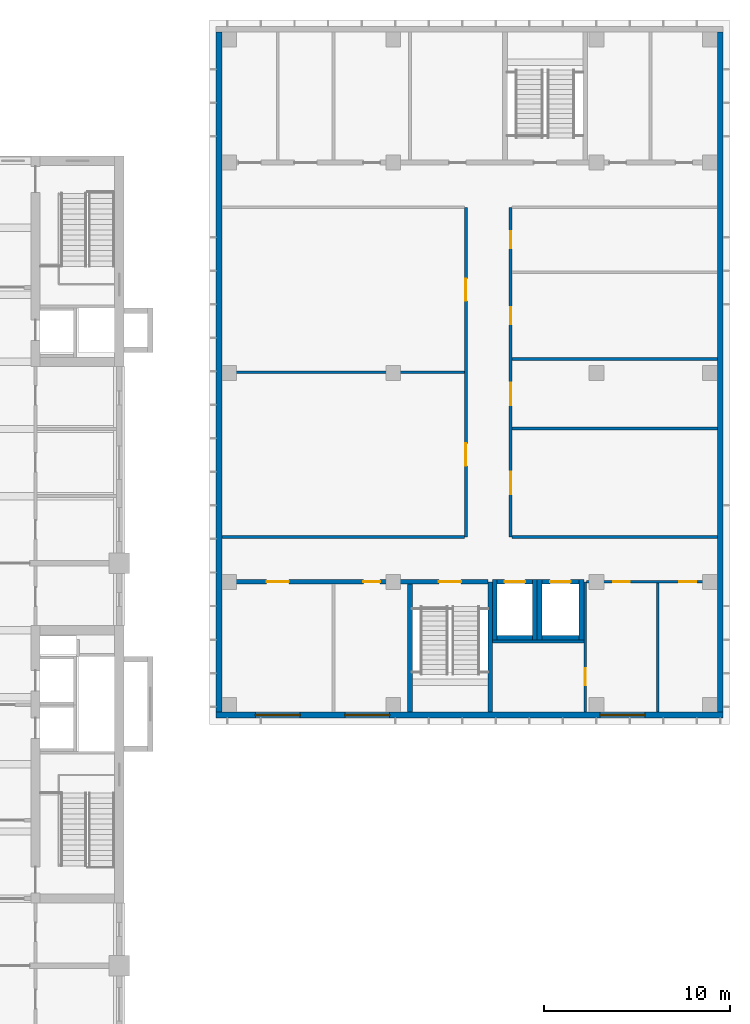
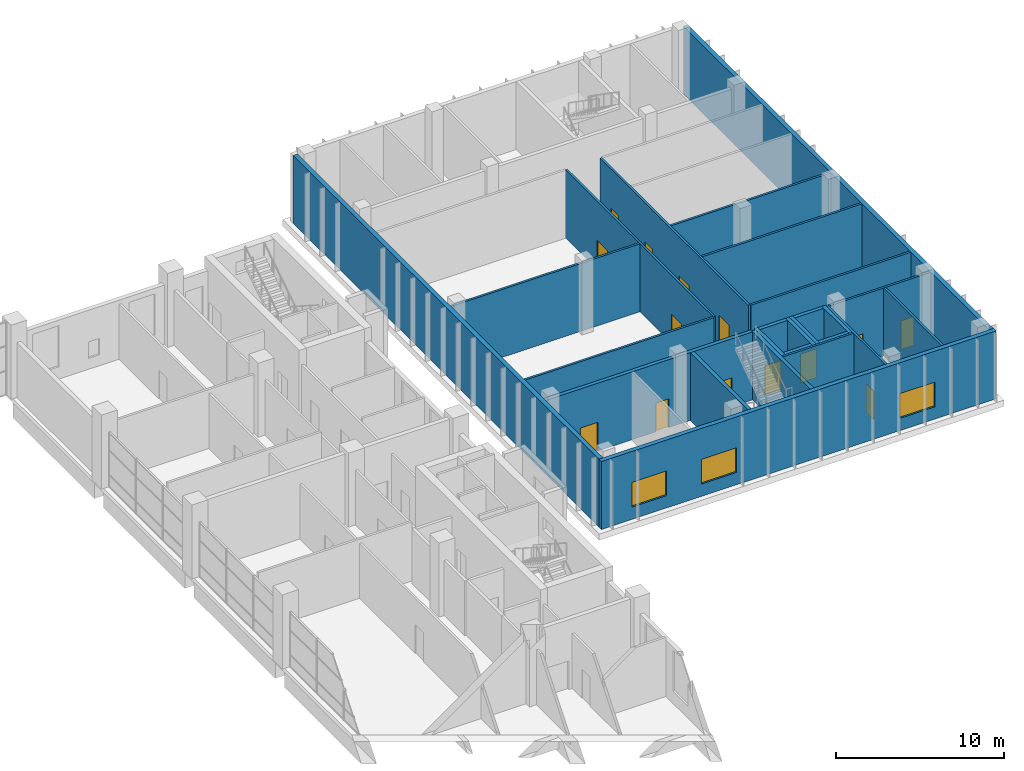
# One storey, part 24 of 33: 25 walls, 14 doors, 3 windows, 17 openings.
"""IFC4 building model written with IfcOpenShell, lengths in metres."""

from ifc_helpers import new_model, si_unit, direction, frame, frame_2d, origin, place, context, subcontext, project, spatial, rectangle, extrude, material, layer, layer_set, type_object, element, fill, save


model = new_model("IFC4")

# Units and contexts
model_context = context("Model", 3, precision=1e-05, world=origin(), true_north=direction((0.0, 1.0)))
body_context = subcontext(model_context, "Body", "Model", "MODEL_VIEW")
ifc_project = project(units=[si_unit("LENGTHUNIT", "METRE"), si_unit("AREAUNIT", "SQUARE_METRE"), si_unit("VOLUMEUNIT", "CUBIC_METRE"), si_unit("PLANEANGLEUNIT", "RADIAN"), si_unit("MASSUNIT", "GRAM", prefix="KILO")], contexts=[model_context])

# Site, building, storey
site_placement = place(None, origin())
site = spatial("IfcSite", under=ifc_project, at=site_placement, CompositionType="ELEMENT")
building_placement = place(site_placement, origin())
building = spatial("IfcBuilding", under=site, at=building_placement, Name="Basin Gate Institute", CompositionType="ELEMENT")
storey_placement = place(building_placement, frame((0.0, 0.0, 6.0)))
storey = spatial("IfcBuildingStorey", under=building, at=storey_placement, Name="L01", CompositionType="ELEMENT", Elevation=6.0)

# Wall, openings, doors
ifc_material_1 = material(Name="Concrete 40 MPa", Category="concrete")
ifc_layer_1 = layer(ifc_material_1, 0.25)
ifc_layer_set_1 = layer_set([ifc_layer_1], Name="Concrete 40 MPa")
wall_type_1 = type_object("IfcWallType", Name="Block enclosure wall W73 REI 120", PredefinedType="SOLIDWALL", material=ifc_layer_set_1)
wall_1_placement = place(storey_placement, frame((124.300048828125, 77.300048828125, 0.0), z_axis=(0.0, 0.0, 1.0), x_axis=(1.0, 0.0, 0.0)))
wall_1 = element("IfcWall", 1, at=wall_1_placement, inside=storey, type_object=wall_type_1, material=ifc_layer_set_1, Name="Stair and lift enclosure wall Cx7730-1 L01", PredefinedType="SOLIDWALL", context=body_context, shape_type="SweptSolid", body=[
    extrude(rectangle(XDim=14.27490234375, YDim=0.25, at=frame_2d((7.137451171875, 0.0))), origin(), (0.0, 0.0, 1.0), 4.949951171875),
])
opening_1_placement = place(wall_1_placement, frame((2.39990234375, 0.0, 0.0)))
opening_1 = element("IfcOpeningElement", 2, at=opening_1_placement, cuts=wall_1, Name="Opening D1019", PredefinedType="OPENING", context=body_context, shape_type="SweptSolid", body=[
    extrude(rectangle(XDim=1.199951171875, YDim=2.10009765625, at=frame_2d((0.60009765625, 1.050048828125))), frame((0.0, 0.135009765625, 0.0), z_axis=(0.0, -1.0, 0.0), x_axis=(1.0, 0.0, 0.0)), (0.0, 0.0, 1.0), 0.27001953125),
])
opening_2_placement = place(wall_1_placement, frame((7.60009765625, 0.0, 0.0)))
opening_2 = element("IfcOpeningElement", 3, at=opening_2_placement, cuts=wall_1, Name="Opening D1020", PredefinedType="OPENING", context=body_context, shape_type="SweptSolid", body=[
    extrude(rectangle(XDim=0.89990234375, YDim=2.10009765625, at=frame_2d((0.449951171875, 1.050048828125))), frame((0.0, 0.135009765625, 0.0), z_axis=(0.0, -1.0, 0.0), x_axis=(1.0, 0.0, 0.0)), (0.0, 0.0, 1.0), 0.27001953125),
])
opening_3_placement = place(wall_1_placement, frame((11.64990234375, 0.0, 0.0)))
opening_3 = element("IfcOpeningElement", 4, at=opening_3_placement, cuts=wall_1, Name="Opening D1036", PredefinedType="OPENING", context=body_context, shape_type="SweptSolid", body=[
    extrude(rectangle(XDim=1.199951171875, YDim=2.10009765625, at=frame_2d((0.60009765625, 1.050048828125))), frame((0.0, 0.135009765625, 0.0), z_axis=(0.0, -1.0, 0.0), x_axis=(1.0, 0.0, 0.0)), (0.0, 0.0, 1.0), 0.27001953125),
])
ifc_material_2 = material(Name="Timber door leaf in steel frame", Category="steel")
door_type_1 = type_object("IfcDoorType", Name="Block door 1200 single swing", OperationType="NOTDEFINED", PredefinedType="DOOR", material=ifc_material_2)
door_1_placement = place(opening_1_placement, frame((1.199951171875, 0.0, 0.0), z_axis=(0.0, 0.0, 1.0), x_axis=(-1.0, 0.0, 0.0)))
door_1 = element("IfcDoor", 5, at=door_1_placement, inside=storey, type_object=door_type_1, material=ifc_material_2, Name="Instrument Room door L01", OperationType="SINGLE_SWING_RIGHT", OverallHeight=2.10009765625, OverallWidth=1.199951171875, PredefinedType="DOOR", context=body_context, shape_type="SweptSolid", body=[
    extrude(rectangle(XDim=1.199951171875, YDim=2.10009765625, at=frame_2d((0.60009765625, 1.050048828125))), frame((0.0, 0.02490234375, 0.0), z_axis=(0.0, -1.0, 0.0), x_axis=(1.0, 0.0, 0.0)), (0.0, 0.0, 1.0), 0.050048828125),
])
fill(opening_1, door_1)
ifc_material_3 = material(Name="Timber door leaf in steel frame", Category="steel")
door_type_2 = type_object("IfcDoorType", Name="Block door 900 single swing", OperationType="NOTDEFINED", PredefinedType="DOOR", material=ifc_material_3)
door_2_placement = place(opening_2_placement, frame((0.89990234375, 0.0, 0.0), z_axis=(0.0, 0.0, 1.0), x_axis=(-1.0, 0.0, 0.0)))
door_2 = element("IfcDoor", 6, at=door_2_placement, inside=storey, type_object=door_type_2, material=ifc_material_3, Name="Write-up Office door L01", OperationType="SINGLE_SWING_LEFT", OverallHeight=2.10009765625, OverallWidth=0.89990234375, PredefinedType="DOOR", context=body_context, shape_type="SweptSolid", body=[
    extrude(rectangle(XDim=0.89990234375, YDim=2.10009765625, at=frame_2d((0.449951171875, 1.050048828125))), frame((0.0, 0.02490234375, 0.0), z_axis=(0.0, -1.0, 0.0), x_axis=(1.0, 0.0, 0.0)), (0.0, 0.0, 1.0), 0.050048828125),
])
fill(opening_2, door_2)
ifc_material_4 = material(Name="Steel fire door leaf", Category="steel")
door_type_3 = type_object("IfcDoorType", Name="FD60 door 1200 single swing", OperationType="NOTDEFINED", PredefinedType="DOOR", material=ifc_material_4)
door_3_placement = place(opening_3_placement, frame((1.199951171875, 0.0, 0.0), z_axis=(0.0, 0.0, 1.0), x_axis=(-1.0, 0.0, 0.0)))
door_3 = element("IfcDoor", 7, at=door_3_placement, inside=storey, type_object=door_type_3, material=ifc_material_4, Name="Stair door ST-C2 L01", OperationType="SINGLE_SWING_RIGHT", OverallHeight=2.10009765625, OverallWidth=1.199951171875, PredefinedType="DOOR", context=body_context, shape_type="SweptSolid", body=[
    extrude(rectangle(XDim=1.199951171875, YDim=2.10009765625, at=frame_2d((0.60009765625, 1.050048828125))), frame((0.0, 0.02490234375, 0.0), z_axis=(0.0, -1.0, 0.0), x_axis=(1.0, 0.0, 0.0)), (0.0, 0.0, 1.0), 0.050048828125),
])
fill(opening_3, door_3)

# Walls
wall_2_placement = place(storey_placement, frame((134.39990234375, 70.300048828125, 0.0), z_axis=(0.0, 0.0, 1.0), x_axis=(0.0, 1.0, 0.0)))
element("IfcWall", 8, at=wall_2_placement, inside=storey, type_object=wall_type_1, material=ifc_layer_set_1, Name="Stair and lift enclosure wall Cy13440-15 L01", PredefinedType="SOLIDWALL", context=body_context, shape_type="SweptSolid", body=[
    extrude(rectangle(XDim=6.875, YDim=0.25, at=frame_2d((3.4375, 0.0))), origin(), (0.0, 0.0, 1.0), 4.949951171875),
])
wall_3_placement = place(storey_placement, frame((138.699951171875, 70.300048828125, 0.0), z_axis=(0.0, 0.0, 1.0), x_axis=(0.0, 1.0, 0.0)))
element("IfcWall", 9, at=wall_3_placement, inside=storey, type_object=wall_type_1, material=ifc_layer_set_1, Name="Stair and lift enclosure wall Cy13870-18 L01", PredefinedType="SOLIDWALL", context=body_context, shape_type="SweptSolid", body=[
    extrude(rectangle(XDim=7.0, YDim=0.25, at=frame_2d((3.5, 0.0))), origin(), (0.0, 0.0, 1.0), 4.949951171875),
])

# Wall, openings, windows
ifc_material_5 = material(Name="Insulated sandwich panel, mineral wool core, galvanised sheet faces")
ifc_layer_2 = layer(ifc_material_5, 0.300048828125)
ifc_layer_set_2 = layer_set([ifc_layer_2], Name="Clean block insulated panel wall W80 EI 60")
wall_type_2 = type_object("IfcWallType", Name="Clean block insulated panel wall W80 EI 60", PredefinedType="SOLIDWALL", material=ifc_layer_set_2)
wall_4_placement = place(storey_placement, frame((124.0, 70.14990234375, 0.0), z_axis=(0.0, 0.0, 1.0), x_axis=(1.0, 0.0, 0.0)))
wall_4 = element("IfcWall", 10, at=wall_4_placement, inside=storey, type_object=wall_type_2, material=ifc_layer_set_2, Name="Clean block insulated panel wall south L01", PredefinedType="SOLIDWALL", context=body_context, shape_type="SweptSolid", body=[
    extrude(rectangle(XDim=27.199951171875, YDim=0.300048828125, at=frame_2d((13.60009765625, 0.0))), origin(), (0.0, 0.0, 1.0), 4.949951171875),
])
opening_4_placement = place(wall_4_placement, frame((2.10009765625, 0.0, 0.89990234375)))
opening_4 = element("IfcOpeningElement", 11, at=opening_4_placement, cuts=wall_4, Name="Opening WN1001", PredefinedType="OPENING", context=body_context, shape_type="SweptSolid", body=[
    extrude(rectangle(XDim=2.39990234375, YDim=1.800048828125, at=frame_2d((1.199951171875, 0.89990234375))), frame((0.0, 0.16015625, 0.0), z_axis=(0.0, -1.0, 0.0), x_axis=(1.0, 0.0, 0.0)), (0.0, 0.0, 1.0), 0.320068359375),
])
opening_5_placement = place(wall_4_placement, frame((6.89990234375, 0.0, 0.89990234375)))
opening_5 = element("IfcOpeningElement", 12, at=opening_5_placement, cuts=wall_4, Name="Opening WN1002", PredefinedType="OPENING", context=body_context, shape_type="SweptSolid", body=[
    extrude(rectangle(XDim=2.39990234375, YDim=1.800048828125, at=frame_2d((1.199951171875, 0.89990234375))), frame((0.0, 0.16015625, 0.0), z_axis=(0.0, -1.0, 0.0), x_axis=(1.0, 0.0, 0.0)), (0.0, 0.0, 1.0), 0.320068359375),
])
opening_6_placement = place(wall_4_placement, frame((20.60009765625, 0.0, 0.89990234375)))
opening_6 = element("IfcOpeningElement", 13, at=opening_6_placement, cuts=wall_4, Name="Opening WN1003", PredefinedType="OPENING", context=body_context, shape_type="SweptSolid", body=[
    extrude(rectangle(XDim=2.39990234375, YDim=1.800048828125, at=frame_2d((1.199951171875, 0.89990234375))), frame((0.0, 0.16015625, 0.0), z_axis=(0.0, -1.0, 0.0), x_axis=(1.0, 0.0, 0.0)), (0.0, 0.0, 1.0), 0.320068359375),
])
ifc_material_6 = material(Name="Aluminium frame with double glazing", Category="aluminium")
window_type = type_object("IfcWindowType", Name="Block window 2400x1800", PartitioningType="DOUBLE_PANEL_VERTICAL", PredefinedType="WINDOW", material=ifc_material_6)
window_1_placement = place(opening_4_placement, origin())
window_1 = element("IfcWindow", 14, at=window_1_placement, inside=storey, type_object=window_type, material=ifc_material_6, Name="Instrument Room window", OverallHeight=1.800048828125, OverallWidth=2.39990234375, PartitioningType="SINGLE_PANEL", PredefinedType="WINDOW", context=body_context, shape_type="SweptSolid", body=[
    extrude(rectangle(XDim=2.39990234375, YDim=1.800048828125, at=frame_2d((1.199951171875, 0.89990234375))), frame((0.0, 0.030029296875, 0.0), z_axis=(0.0, -1.0, 0.0), x_axis=(1.0, 0.0, 0.0)), (0.0, 0.0, 1.0), 0.06005859375),
])
fill(opening_4, window_1)
window_2_placement = place(opening_5_placement, origin())
window_2 = element("IfcWindow", 15, at=window_2_placement, inside=storey, type_object=window_type, material=ifc_material_6, Name="Write-up Office window", OverallHeight=1.800048828125, OverallWidth=2.39990234375, PartitioningType="SINGLE_PANEL", PredefinedType="WINDOW", context=body_context, shape_type="SweptSolid", body=[
    extrude(rectangle(XDim=2.39990234375, YDim=1.800048828125, at=frame_2d((1.199951171875, 0.89990234375))), frame((0.0, 0.030029296875, 0.0), z_axis=(0.0, -1.0, 0.0), x_axis=(1.0, 0.0, 0.0)), (0.0, 0.0, 1.0), 0.06005859375),
])
fill(opening_5, window_2)
window_3_placement = place(opening_6_placement, origin())
window_3 = element("IfcWindow", 16, at=window_3_placement, inside=storey, type_object=window_type, material=ifc_material_6, Name="Meeting Pod window", OverallHeight=1.800048828125, OverallWidth=2.39990234375, PartitioningType="SINGLE_PANEL", PredefinedType="WINDOW", context=body_context, shape_type="SweptSolid", body=[
    extrude(rectangle(XDim=2.39990234375, YDim=1.800048828125, at=frame_2d((1.199951171875, 0.89990234375))), frame((0.0, 0.030029296875, 0.0), z_axis=(0.0, -1.0, 0.0), x_axis=(1.0, 0.0, 0.0)), (0.0, 0.0, 1.0), 0.06005859375),
])
fill(opening_6, window_3)

# Walls
for number, where, z_axis, x_axis, name in (
    (17, (124.14990234375, 70.300048828125, 0.0), (0.0, 0.0, 1.0), (0.0, 1.0, 0.0), "Clean block insulated panel wall west L01"),
    (18, (151.050048828125, 70.300048828125, 0.0), (0.0, 0.0, 1.0), (0.0, 1.0, 0.0), "Clean block insulated panel wall east L01"),
):
    element("IfcWall", number, at=place(storey_placement, frame(where, z_axis=z_axis, x_axis=x_axis)), inside=storey, type_object=wall_type_2, material=ifc_layer_set_2, Name=name, PredefinedType="SOLIDWALL", context=body_context, shape_type="SweptSolid", body=[
        extrude(rectangle(XDim=36.5, YDim=0.300048828125, at=frame_2d((18.25, 0.0))), origin(), (0.0, 0.0, 1.0), 4.949951171875),
    ])
ifc_material_7 = material(Name="Gypsum board partition on steel studs, 60 minute", Category="steel")
ifc_layer_3 = layer(ifc_material_7, 0.14990234375)
ifc_layer_set_3 = layer_set([ifc_layer_3], Name="Gypsum board partition on steel studs, 60 minute")
wall_type_3 = type_object("IfcWallType", Name="Clean block partition PW72 EI 60", PredefinedType="SOLIDWALL", material=ifc_layer_set_3)
wall_5_placement = place(storey_placement, frame((138.824951171875, 74.10009765625, 0.0), z_axis=(0.0, 0.0, 1.0), x_axis=(1.0, 0.0, 0.0)))
element("IfcWall", 19, at=wall_5_placement, inside=storey, type_object=wall_type_3, material=ifc_layer_set_3, Name="Clean block partition Cx7410-0 L01", PredefinedType="SOLIDWALL", context=body_context, shape_type="SweptSolid", body=[
    extrude(rectangle(XDim=4.900146484375, YDim=0.14990234375, at=frame_2d((2.4501953125, 0.0))), origin(), (0.0, 0.0, 1.0), 4.949951171875),
])

# Wall, openings, doors
wall_6_placement = place(storey_placement, frame((143.875, 77.300048828125, 0.0), z_axis=(0.0, 0.0, 1.0), x_axis=(1.0, 0.0, 0.0)))
wall_6 = element("IfcWall", 20, at=wall_6_placement, inside=storey, type_object=wall_type_3, material=ifc_layer_set_3, Name="Clean block partition Cx7730-2 L01", PredefinedType="SOLIDWALL", context=body_context, shape_type="SweptSolid", body=[
    extrude(rectangle(XDim=7.02490234375, YDim=0.14990234375, at=frame_2d((3.512451171875, 0.0))), origin(), (0.0, 0.0, 1.0), 4.949951171875),
])
opening_7_placement = place(wall_6_placement, frame((1.425048828125, 0.0, 0.0)))
opening_7 = element("IfcOpeningElement", 21, at=opening_7_placement, cuts=wall_6, Name="Opening D1021", PredefinedType="OPENING", context=body_context, shape_type="SweptSolid", body=[
    extrude(rectangle(XDim=0.89990234375, YDim=2.10009765625, at=frame_2d((0.449951171875, 1.050048828125))), frame((0.0, 0.0849609375, 0.0), z_axis=(0.0, -1.0, 0.0), x_axis=(1.0, 0.0, 0.0)), (0.0, 0.0, 1.0), 0.169921875),
])
opening_8_placement = place(wall_6_placement, frame((4.97509765625, 0.0, 0.0)))
opening_8 = element("IfcOpeningElement", 22, at=opening_8_placement, cuts=wall_6, Name="Opening D1022", PredefinedType="OPENING", context=body_context, shape_type="SweptSolid", body=[
    extrude(rectangle(XDim=0.89990234375, YDim=2.10009765625, at=frame_2d((0.449951171875, 1.050048828125))), frame((0.0, 0.0849609375, 0.0), z_axis=(0.0, -1.0, 0.0), x_axis=(1.0, 0.0, 0.0)), (0.0, 0.0, 1.0), 0.169921875),
])
door_4_placement = place(opening_7_placement, frame((0.89990234375, 0.0, 0.0), z_axis=(0.0, 0.0, 1.0), x_axis=(-1.0, 0.0, 0.0)))
door_4 = element("IfcDoor", 23, at=door_4_placement, inside=storey, type_object=door_type_2, material=ifc_material_3, Name="Meeting Pod door L01", OperationType="SINGLE_SWING_RIGHT", OverallHeight=2.10009765625, OverallWidth=0.89990234375, PredefinedType="DOOR", context=body_context, shape_type="SweptSolid", body=[
    extrude(rectangle(XDim=0.89990234375, YDim=2.10009765625, at=frame_2d((0.449951171875, 1.050048828125))), frame((0.0, 0.02490234375, 0.0), z_axis=(0.0, -1.0, 0.0), x_axis=(1.0, 0.0, 0.0)), (0.0, 0.0, 1.0), 0.050048828125),
])
fill(opening_7, door_4)
door_5_placement = place(opening_8_placement, frame((0.89990234375, 0.0, 0.0), z_axis=(0.0, 0.0, 1.0), x_axis=(-1.0, 0.0, 0.0)))
door_5 = element("IfcDoor", 24, at=door_5_placement, inside=storey, type_object=door_type_2, material=ifc_material_3, Name="Process Support Store door L01", OperationType="SINGLE_SWING_LEFT", OverallHeight=2.10009765625, OverallWidth=0.89990234375, PredefinedType="DOOR", context=body_context, shape_type="SweptSolid", body=[
    extrude(rectangle(XDim=0.89990234375, YDim=2.10009765625, at=frame_2d((0.449951171875, 1.050048828125))), frame((0.0, 0.02490234375, 0.0), z_axis=(0.0, -1.0, 0.0), x_axis=(1.0, 0.0, 0.0)), (0.0, 0.0, 1.0), 0.050048828125),
])
fill(opening_8, door_5)

# Walls
wall_7_placement = place(storey_placement, frame((124.300048828125, 79.699951171875, 0.0), z_axis=(0.0, 0.0, 1.0), x_axis=(1.0, 0.0, 0.0)))
element("IfcWall", 25, at=wall_7_placement, inside=storey, type_object=wall_type_3, material=ifc_layer_set_3, Name="Clean block partition Cx7970-3 L01", PredefinedType="SOLIDWALL", context=body_context, shape_type="SweptSolid", body=[
    extrude(rectangle(XDim=13.02490234375, YDim=0.14990234375, at=frame_2d((6.512451171875, 0.0))), origin(), (0.0, 0.0, 1.0), 4.949951171875),
])
for number, where, z_axis, x_axis, name in (
    (26, (139.875, 79.699951171875, 0.0), (0.0, 0.0, 1.0), (1.0, 0.0, 0.0), "Clean block partition Cx7970-4 L01"),
    (27, (139.875, 85.52197265625, 0.0), (0.0, 0.0, 1.0), (1.0, 0.0, 0.0), "Clean block partition Cx8552-5 L01"),
):
    element("IfcWall", number, at=place(storey_placement, frame(where, z_axis=z_axis, x_axis=x_axis)), inside=storey, type_object=wall_type_3, material=ifc_layer_set_3, Name=name, PredefinedType="SOLIDWALL", context=body_context, shape_type="SweptSolid", body=[
        extrude(rectangle(XDim=11.02490234375, YDim=0.14990234375, at=frame_2d((5.512451171875, 0.0))), origin(), (0.0, 0.0, 1.0), 4.949951171875),
    ])
wall_8_placement = place(storey_placement, frame((124.300048828125, 88.550048828125, 0.0), z_axis=(0.0, 0.0, 1.0), x_axis=(1.0, 0.0, 0.0)))
element("IfcWall", 28, at=wall_8_placement, inside=storey, type_object=wall_type_3, material=ifc_layer_set_3, Name="Clean block partition Cx8855-6 L01", PredefinedType="SOLIDWALL", context=body_context, shape_type="SweptSolid", body=[
    extrude(rectangle(XDim=13.02490234375, YDim=0.14990234375, at=frame_2d((6.512451171875, 0.0))), origin(), (0.0, 0.0, 1.0), 4.949951171875),
])
wall_9_placement = place(storey_placement, frame((139.875, 89.2490234375, 0.0), z_axis=(0.0, 0.0, 1.0), x_axis=(1.0, 0.0, 0.0)))
element("IfcWall", 29, at=wall_9_placement, inside=storey, type_object=wall_type_3, material=ifc_layer_set_3, Name="Clean block partition Cx8925-7 L01", PredefinedType="SOLIDWALL", context=body_context, shape_type="SweptSolid", body=[
    extrude(rectangle(XDim=11.02490234375, YDim=0.14990234375, at=frame_2d((5.512451171875, 0.0))), origin(), (0.0, 0.0, 1.0), 4.949951171875),
])

# Wall, openings, doors
wall_10_placement = place(storey_placement, frame((137.39990234375, 79.699951171875, 0.0), z_axis=(0.0, 0.0, 1.0), x_axis=(0.0, 1.0, 0.0)))
wall_10 = element("IfcWall", 30, at=wall_10_placement, inside=storey, type_object=wall_type_3, material=ifc_layer_set_3, Name="Clean block partition Cy13740-17 L01", PredefinedType="SOLIDWALL", context=body_context, shape_type="SweptSolid", body=[
    extrude(rectangle(XDim=17.699951171875, YDim=0.14990234375, at=frame_2d((8.85009765625, 0.0))), origin(), (0.0, 0.0, 1.0), 4.949951171875),
])
opening_9_placement = place(wall_10_placement, frame((3.824951171875, 0.0, 0.0)))
opening_9 = element("IfcOpeningElement", 31, at=opening_9_placement, cuts=wall_10, Name="Opening D1023", PredefinedType="OPENING", context=body_context, shape_type="SweptSolid", body=[
    extrude(rectangle(XDim=1.199951171875, YDim=2.10009765625, at=frame_2d((0.60009765625, 1.050048828125))), frame((0.0, 0.0849609375, 0.0), z_axis=(0.0, -1.0, 0.0), x_axis=(1.0, 0.0, 0.0)), (0.0, 0.0, 1.0), 0.169921875),
])
opening_10_placement = place(wall_10_placement, frame((12.675048828125, 0.0, 0.0)))
opening_10 = element("IfcOpeningElement", 32, at=opening_10_placement, cuts=wall_10, Name="Opening D1024", PredefinedType="OPENING", context=body_context, shape_type="SweptSolid", body=[
    extrude(rectangle(XDim=1.199951171875, YDim=2.10009765625, at=frame_2d((0.60009765625, 1.050048828125))), frame((0.0, 0.0849609375, 0.0), z_axis=(0.0, -1.0, 0.0), x_axis=(1.0, 0.0, 0.0)), (0.0, 0.0, 1.0), 0.169921875),
])
door_6_placement = place(opening_9_placement, origin())
door_6 = element("IfcDoor", 33, at=door_6_placement, inside=storey, type_object=door_type_1, material=ifc_material_2, Name="Clean Room ISO 6 1 door L01", OperationType="SINGLE_SWING_LEFT", OverallHeight=2.10009765625, OverallWidth=1.199951171875, PredefinedType="DOOR", context=body_context, shape_type="SweptSolid", body=[
    extrude(rectangle(XDim=1.199951171875, YDim=2.10009765625, at=frame_2d((0.60009765625, 1.050048828125))), frame((0.0, 0.02490234375, 0.0), z_axis=(0.0, -1.0, 0.0), x_axis=(1.0, 0.0, 0.0)), (0.0, 0.0, 1.0), 0.050048828125),
])
fill(opening_9, door_6)
door_7_placement = place(opening_10_placement, origin())
door_7 = element("IfcDoor", 34, at=door_7_placement, inside=storey, type_object=door_type_1, material=ifc_material_2, Name="Clean Room ISO 6 2 door L01", OperationType="SINGLE_SWING_LEFT", OverallHeight=2.10009765625, OverallWidth=1.199951171875, PredefinedType="DOOR", context=body_context, shape_type="SweptSolid", body=[
    extrude(rectangle(XDim=1.199951171875, YDim=2.10009765625, at=frame_2d((0.60009765625, 1.050048828125))), frame((0.0, 0.02490234375, 0.0), z_axis=(0.0, -1.0, 0.0), x_axis=(1.0, 0.0, 0.0)), (0.0, 0.0, 1.0), 0.050048828125),
])
fill(opening_10, door_7)

wall_11_placement = place(storey_placement, frame((139.800048828125, 79.699951171875, 0.0), z_axis=(0.0, 0.0, 1.0), x_axis=(0.0, 1.0, 0.0)))
wall_11 = element("IfcWall", 35, at=wall_11_placement, inside=storey, type_object=wall_type_3, material=ifc_layer_set_3, Name="Clean block partition Cy13980-20 L01", PredefinedType="SOLIDWALL", context=body_context, shape_type="SweptSolid", body=[
    extrude(rectangle(XDim=17.699951171875, YDim=0.14990234375, at=frame_2d((8.85009765625, 0.0))), origin(), (0.0, 0.0, 1.0), 4.949951171875),
])
opening_11_placement = place(wall_11_placement, frame((2.31103515625, 0.0, 0.0)))
opening_11 = element("IfcOpeningElement", 36, at=opening_11_placement, cuts=wall_11, Name="Opening D1025", PredefinedType="OPENING", context=body_context, shape_type="SweptSolid", body=[
    extrude(rectangle(XDim=1.199951171875, YDim=2.10009765625, at=frame_2d((0.60009765625, 1.050048828125))), frame((0.0, 0.0849609375, 0.0), z_axis=(0.0, -1.0, 0.0), x_axis=(1.0, 0.0, 0.0)), (0.0, 0.0, 1.0), 0.169921875),
])
opening_12_placement = place(wall_11_placement, frame((7.08544921875, 0.0, 0.0)))
opening_12 = element("IfcOpeningElement", 37, at=opening_12_placement, cuts=wall_11, Name="Opening D1026", PredefinedType="OPENING", context=body_context, shape_type="SweptSolid", body=[
    extrude(rectangle(XDim=1.199951171875, YDim=2.10009765625, at=frame_2d((0.60009765625, 1.050048828125))), frame((0.0, 0.0849609375, 0.0), z_axis=(0.0, -1.0, 0.0), x_axis=(1.0, 0.0, 0.0)), (0.0, 0.0, 1.0), 0.169921875),
])
opening_13_placement = place(wall_11_placement, frame((11.427978515625, 0.0, 0.0)))
opening_13 = element("IfcOpeningElement", 38, at=opening_13_placement, cuts=wall_11, Name="Opening D1027", PredefinedType="OPENING", context=body_context, shape_type="SweptSolid", body=[
    extrude(rectangle(XDim=0.89990234375, YDim=2.10009765625, at=frame_2d((0.449951171875, 1.050048828125))), frame((0.0, 0.0849609375, 0.0), z_axis=(0.0, -1.0, 0.0), x_axis=(1.0, 0.0, 0.0)), (0.0, 0.0, 1.0), 0.169921875),
])
opening_14_placement = place(wall_11_placement, frame((15.50341796875, 0.0, 0.0)))
opening_14 = element("IfcOpeningElement", 39, at=opening_14_placement, cuts=wall_11, Name="Opening D1028", PredefinedType="OPENING", context=body_context, shape_type="SweptSolid", body=[
    extrude(rectangle(XDim=0.89990234375, YDim=2.10009765625, at=frame_2d((0.449951171875, 1.050048828125))), frame((0.0, 0.0849609375, 0.0), z_axis=(0.0, -1.0, 0.0), x_axis=(1.0, 0.0, 0.0)), (0.0, 0.0, 1.0), 0.169921875),
])
door_8_placement = place(opening_11_placement, frame((1.199951171875, 0.0, 0.0), z_axis=(0.0, 0.0, 1.0), x_axis=(-1.0, 0.0, 0.0)))
door_8 = element("IfcDoor", 40, at=door_8_placement, inside=storey, type_object=door_type_1, material=ifc_material_2, Name="Gowning Airlock door L01", OperationType="SINGLE_SWING_RIGHT", OverallHeight=2.10009765625, OverallWidth=1.199951171875, PredefinedType="DOOR", context=body_context, shape_type="SweptSolid", body=[
    extrude(rectangle(XDim=1.199951171875, YDim=2.10009765625, at=frame_2d((0.60009765625, 1.050048828125))), frame((0.0, 0.02490234375, 0.0), z_axis=(0.0, -1.0, 0.0), x_axis=(1.0, 0.0, 0.0)), (0.0, 0.0, 1.0), 0.050048828125),
])
fill(opening_11, door_8)
door_9_placement = place(opening_12_placement, frame((1.199951171875, 0.0, 0.0), z_axis=(0.0, 0.0, 1.0), x_axis=(-1.0, 0.0, 0.0)))
door_9 = element("IfcDoor", 41, at=door_9_placement, inside=storey, type_object=door_type_1, material=ifc_material_2, Name="Material Airlock door L01", OperationType="SINGLE_SWING_RIGHT", OverallHeight=2.10009765625, OverallWidth=1.199951171875, PredefinedType="DOOR", context=body_context, shape_type="SweptSolid", body=[
    extrude(rectangle(XDim=1.199951171875, YDim=2.10009765625, at=frame_2d((0.60009765625, 1.050048828125))), frame((0.0, 0.02490234375, 0.0), z_axis=(0.0, -1.0, 0.0), x_axis=(1.0, 0.0, 0.0)), (0.0, 0.0, 1.0), 0.050048828125),
])
fill(opening_12, door_9)
door_10_placement = place(opening_13_placement, frame((0.89990234375, 0.0, 0.0), z_axis=(0.0, 0.0, 1.0), x_axis=(-1.0, 0.0, 0.0)))
door_10 = element("IfcDoor", 42, at=door_10_placement, inside=storey, type_object=door_type_2, material=ifc_material_3, Name="Utility Room door L01", OperationType="SINGLE_SWING_LEFT", OverallHeight=2.10009765625, OverallWidth=0.89990234375, PredefinedType="DOOR", context=body_context, shape_type="SweptSolid", body=[
    extrude(rectangle(XDim=0.89990234375, YDim=2.10009765625, at=frame_2d((0.449951171875, 1.050048828125))), frame((0.0, 0.02490234375, 0.0), z_axis=(0.0, -1.0, 0.0), x_axis=(1.0, 0.0, 0.0)), (0.0, 0.0, 1.0), 0.050048828125),
])
fill(opening_13, door_10)
door_11_placement = place(opening_14_placement, frame((0.89990234375, 0.0, 0.0), z_axis=(0.0, 0.0, 1.0), x_axis=(-1.0, 0.0, 0.0)))
door_11 = element("IfcDoor", 43, at=door_11_placement, inside=storey, type_object=door_type_2, material=ifc_material_3, Name="Female WC door L01", OperationType="SINGLE_SWING_LEFT", OverallHeight=2.10009765625, OverallWidth=0.89990234375, PredefinedType="DOOR", context=body_context, shape_type="SweptSolid", body=[
    extrude(rectangle(XDim=0.89990234375, YDim=2.10009765625, at=frame_2d((0.449951171875, 1.050048828125))), frame((0.0, 0.02490234375, 0.0), z_axis=(0.0, -1.0, 0.0), x_axis=(1.0, 0.0, 0.0)), (0.0, 0.0, 1.0), 0.050048828125),
])
fill(opening_14, door_11)

# Wall, opening, door
wall_12_placement = place(storey_placement, frame((143.800048828125, 70.300048828125, 0.0), z_axis=(0.0, 0.0, 1.0), x_axis=(0.0, 1.0, 0.0)))
wall_12 = element("IfcWall", 44, at=wall_12_placement, inside=storey, type_object=wall_type_3, material=ifc_layer_set_3, Name="Clean block partition Cy14380-21 L01", PredefinedType="SOLIDWALL", context=body_context, shape_type="SweptSolid", body=[
    extrude(rectangle(XDim=7.0, YDim=0.14990234375, at=frame_2d((3.5, 0.0))), origin(), (0.0, 0.0, 1.0), 4.949951171875),
])
opening_15_placement = place(wall_12_placement, frame((1.449951171875, 0.0, 0.0)))
opening_15 = element("IfcOpeningElement", 45, at=opening_15_placement, cuts=wall_12, Name="Opening D1034", PredefinedType="OPENING", context=body_context, shape_type="SweptSolid", body=[
    extrude(rectangle(XDim=0.89990234375, YDim=2.10009765625, at=frame_2d((0.449951171875, 1.050048828125))), frame((0.0, 0.0849609375, 0.0), z_axis=(0.0, -1.0, 0.0), x_axis=(1.0, 0.0, 0.0)), (0.0, 0.0, 1.0), 0.169921875),
])
door_12_placement = place(opening_15_placement, origin())
door_12 = element("IfcDoor", 46, at=door_12_placement, inside=storey, type_object=door_type_2, material=ifc_material_3, Name="Riser Room door L01", OperationType="SINGLE_SWING_RIGHT", OverallHeight=2.10009765625, OverallWidth=0.89990234375, PredefinedType="DOOR", context=body_context, shape_type="SweptSolid", body=[
    extrude(rectangle(XDim=0.89990234375, YDim=2.10009765625, at=frame_2d((0.449951171875, 1.050048828125))), frame((0.0, 0.02490234375, 0.0), z_axis=(0.0, -1.0, 0.0), x_axis=(1.0, 0.0, 0.0)), (0.0, 0.0, 1.0), 0.050048828125),
])
fill(opening_15, door_12)

# Walls
wall_13_placement = place(storey_placement, frame((147.699951171875, 70.300048828125, 0.0), z_axis=(0.0, 0.0, 1.0), x_axis=(0.0, 1.0, 0.0)))
element("IfcWall", 47, at=wall_13_placement, inside=storey, type_object=wall_type_3, material=ifc_layer_set_3, Name="Clean block partition Cy14770-24 L01", PredefinedType="SOLIDWALL", context=body_context, shape_type="SweptSolid", body=[
    extrude(rectangle(XDim=6.925048828125, YDim=0.14990234375, at=frame_2d((3.46240234375, 0.0))), origin(), (0.0, 0.0, 1.0), 4.949951171875),
])
ifc_material_8 = material(Name="Concrete 40 MPa", Category="concrete")
ifc_layer_4 = layer(ifc_material_8, 0.25)
ifc_layer_set_4 = layer_set([ifc_layer_4], Name="Concrete 40 MPa")
wall_type_4 = type_object("IfcWallType", Name="Lift shaft enclosure wall W76 EI 120", PredefinedType="SOLIDWALL", material=ifc_layer_set_4)
wall_14_placement = place(storey_placement, frame((139.074951171875, 74.300048828125, 0.0), z_axis=(0.0, 0.0, 1.0), x_axis=(1.0, 0.0, 0.0)))
element("IfcWall", 48, at=wall_14_placement, inside=storey, type_object=wall_type_4, material=ifc_layer_set_4, Name="Lift shaft enclosure LP8 S L01", PredefinedType="SOLIDWALL", context=body_context, shape_type="SweptSolid", body=[
    extrude(rectangle(XDim=1.900146484375, YDim=0.25, at=frame_2d((0.9501953125, 0.0))), origin(), (0.0, 0.0, 1.0), 4.949951171875),
])

# Wall, opening, door
wall_15_placement = place(storey_placement, frame((139.074951171875, 77.300048828125, 0.0), z_axis=(0.0, 0.0, 1.0), x_axis=(1.0, 0.0, 0.0)))
wall_15 = element("IfcWall", 49, at=wall_15_placement, inside=storey, type_object=wall_type_4, material=ifc_layer_set_4, Name="Lift shaft enclosure LP8 N L01", PredefinedType="SOLIDWALL", context=body_context, shape_type="SweptSolid", body=[
    extrude(rectangle(XDim=1.900146484375, YDim=0.25, at=frame_2d((0.9501953125, 0.0))), origin(), (0.0, 0.0, 1.0), 4.949951171875),
])
opening_16_placement = place(wall_15_placement, frame((0.39990234375, 0.0, 0.0)))
opening_16 = element("IfcOpeningElement", 50, at=opening_16_placement, cuts=wall_15, Name="Opening LW43", PredefinedType="OPENING", context=body_context, shape_type="SweptSolid", body=[
    extrude(rectangle(XDim=1.10009765625, YDim=2.10009765625, at=frame_2d((0.550048828125, 1.050048828125))), frame((0.0, 0.135009765625, 0.0), z_axis=(0.0, -1.0, 0.0), x_axis=(1.0, 0.0, 0.0)), (0.0, 0.0, 1.0), 0.27001953125),
])
ifc_material_9 = material(Name="Stainless steel", Category="steel")
door_type_4 = type_object("IfcDoorType", Name="FD60 Lift landing door LD", OperationType="SLIDING_TO_LEFT", PredefinedType="DOOR", material=ifc_material_9)
door_13_placement = place(opening_16_placement, origin())
door_13 = element("IfcDoor", 51, at=door_13_placement, inside=storey, type_object=door_type_4, material=ifc_material_9, Name="Lift landing door LP8 L01", OperationType="SLIDING_TO_LEFT", OverallHeight=2.10009765625, OverallWidth=1.10009765625, PredefinedType="DOOR", context=body_context, shape_type="SweptSolid", body=[
    extrude(rectangle(XDim=1.10009765625, YDim=2.10009765625, at=frame_2d((0.550048828125, 1.050048828125))), frame((0.0, 0.02490234375, 0.0), z_axis=(0.0, -1.0, 0.0), x_axis=(1.0, 0.0, 0.0)), (0.0, 0.0, 1.0), 0.050048828125),
])
fill(opening_16, door_13)

# Walls
for number, where, z_axis, x_axis, name in (
    (52, (138.949951171875, 74.175048828125, 0.0), (0.0, 0.0, 1.0), (0.0, 1.0, 0.0), "Lift shaft enclosure LP8 W L01"),
    (53, (141.10009765625, 74.175048828125, 0.0), (0.0, 0.0, 1.0), (0.0, 1.0, 0.0), "Lift shaft enclosure LP8 E L01"),
):
    element("IfcWall", number, at=place(storey_placement, frame(where, z_axis=z_axis, x_axis=x_axis)), inside=storey, type_object=wall_type_4, material=ifc_layer_set_4, Name=name, PredefinedType="SOLIDWALL", context=body_context, shape_type="SweptSolid", body=[
        extrude(rectangle(XDim=3.25, YDim=0.25, at=frame_2d((1.625, 0.0))), origin(), (0.0, 0.0, 1.0), 4.949951171875),
    ])
wall_16_placement = place(storey_placement, frame((141.47509765625, 74.300048828125, 0.0), z_axis=(0.0, 0.0, 1.0), x_axis=(1.0, 0.0, 0.0)))
element("IfcWall", 54, at=wall_16_placement, inside=storey, type_object=wall_type_4, material=ifc_layer_set_4, Name="Lift shaft enclosure LG1 S L01", PredefinedType="SOLIDWALL", context=body_context, shape_type="SweptSolid", body=[
    extrude(rectangle(XDim=2.0, YDim=0.25, at=frame_2d((1.0, 0.0))), origin(), (0.0, 0.0, 1.0), 4.949951171875),
])

# Wall, opening, door
wall_17_placement = place(storey_placement, frame((141.47509765625, 77.300048828125, 0.0), z_axis=(0.0, 0.0, 1.0), x_axis=(1.0, 0.0, 0.0)))
wall_17 = element("IfcWall", 55, at=wall_17_placement, inside=storey, type_object=wall_type_4, material=ifc_layer_set_4, Name="Lift shaft enclosure LG1 N L01", PredefinedType="SOLIDWALL", context=body_context, shape_type="SweptSolid", body=[
    extrude(rectangle(XDim=2.0, YDim=0.25, at=frame_2d((1.0, 0.0))), origin(), (0.0, 0.0, 1.0), 4.949951171875),
])
opening_17_placement = place(wall_17_placement, frame((0.449951171875, 0.0, 0.0)))
opening_17 = element("IfcOpeningElement", 56, at=opening_17_placement, cuts=wall_17, Name="Opening LW44", PredefinedType="OPENING", context=body_context, shape_type="SweptSolid", body=[
    extrude(rectangle(XDim=1.10009765625, YDim=2.10009765625, at=frame_2d((0.550048828125, 1.050048828125))), frame((0.0, 0.135009765625, 0.0), z_axis=(0.0, -1.0, 0.0), x_axis=(1.0, 0.0, 0.0)), (0.0, 0.0, 1.0), 0.27001953125),
])
door_14_placement = place(opening_17_placement, origin())
door_14 = element("IfcDoor", 57, at=door_14_placement, inside=storey, type_object=door_type_4, material=ifc_material_9, Name="Lift landing door LG1 L01", OperationType="SLIDING_TO_LEFT", OverallHeight=2.10009765625, OverallWidth=1.10009765625, PredefinedType="DOOR", context=body_context, shape_type="SweptSolid", body=[
    extrude(rectangle(XDim=1.10009765625, YDim=2.10009765625, at=frame_2d((0.550048828125, 1.050048828125))), frame((0.0, 0.02490234375, 0.0), z_axis=(0.0, -1.0, 0.0), x_axis=(1.0, 0.0, 0.0)), (0.0, 0.0, 1.0), 0.050048828125),
])
fill(opening_17, door_14)

# Walls
for number, where, z_axis, x_axis, name in (
    (58, (141.35009765625, 74.175048828125, 0.0), (0.0, 0.0, 1.0), (0.0, 1.0, 0.0), "Lift shaft enclosure LG1 W L01"),
    (59, (143.60009765625, 74.175048828125, 0.0), (0.0, 0.0, 1.0), (0.0, 1.0, 0.0), "Lift shaft enclosure LG1 E L01"),
):
    element("IfcWall", number, at=place(storey_placement, frame(where, z_axis=z_axis, x_axis=x_axis)), inside=storey, type_object=wall_type_4, material=ifc_layer_set_4, Name=name, PredefinedType="SOLIDWALL", context=body_context, shape_type="SweptSolid", body=[
        extrude(rectangle(XDim=3.25, YDim=0.25, at=frame_2d((1.625, 0.0))), origin(), (0.0, 0.0, 1.0), 4.949951171875),
    ])

save(model, "model.ifc")
